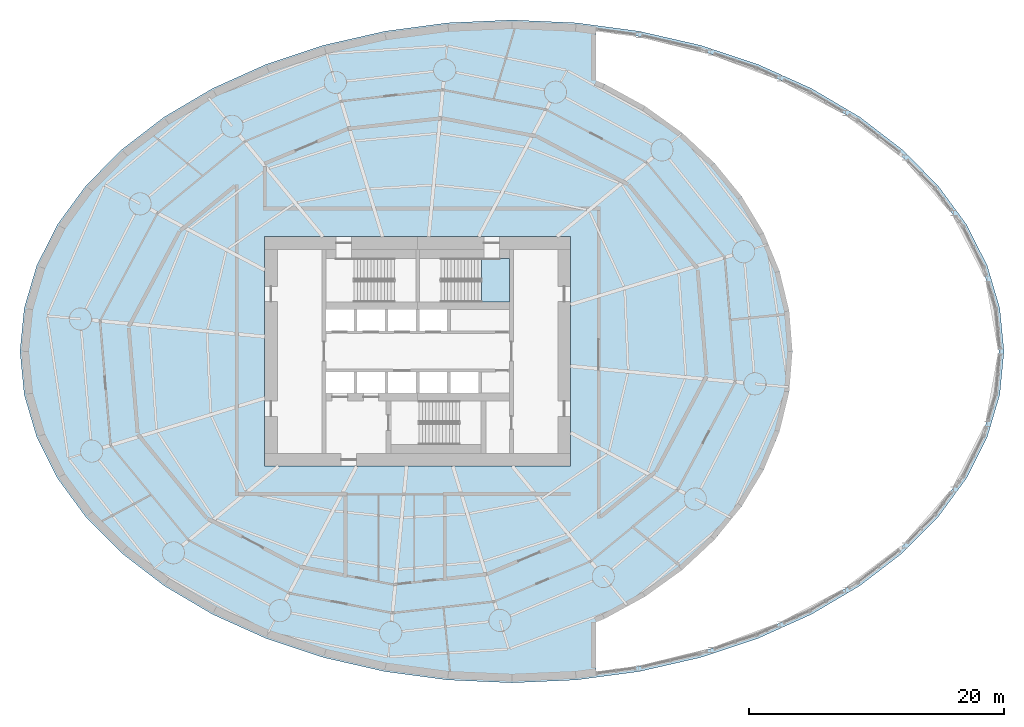
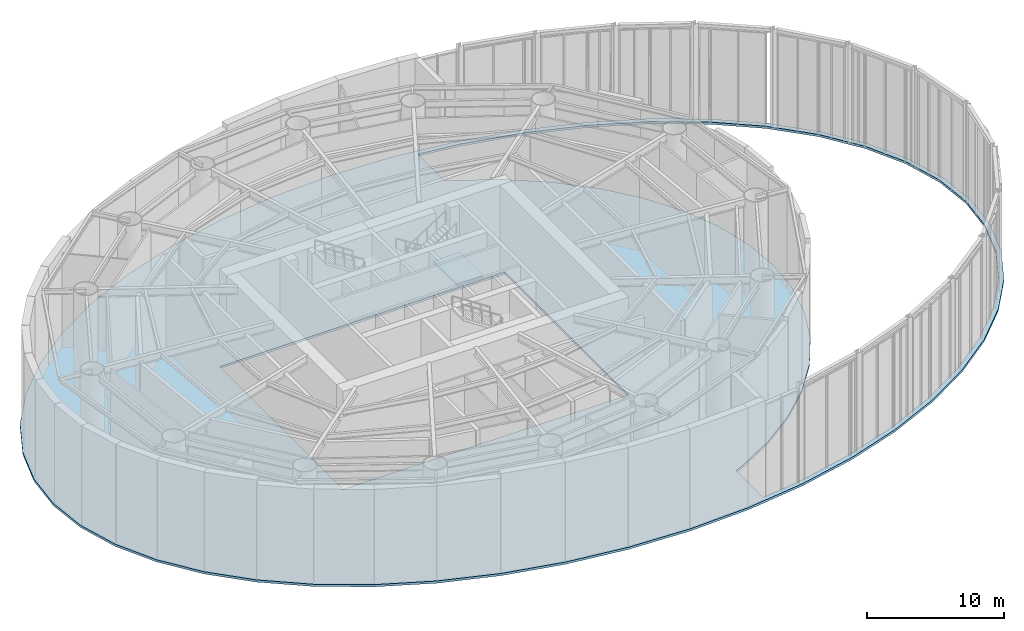
# One storey, part 11 of 19: 2 slabs, 1 element without a shape of its own.
"""IFC4 building model written with IfcOpenShell, lengths in metres."""

from ifc_helpers import new_model, si_unit, direction, frame, origin, place, context, subcontext, project, spatial, polyline, outline, extrude, material, layer, layer_set, type_object, element, aggregate, save


model = new_model("IFC4")

# Units and contexts
model_context = context("Model", 3, precision=1e-05, world=origin(), true_north=direction((0.0, 1.0)))
body_context = subcontext(model_context, "Body", "Model", "MODEL_VIEW")
ifc_project = project(units=[si_unit("LENGTHUNIT", "METRE"), si_unit("AREAUNIT", "SQUARE_METRE"), si_unit("VOLUMEUNIT", "CUBIC_METRE"), si_unit("PLANEANGLEUNIT", "RADIAN"), si_unit("MASSUNIT", "GRAM", prefix="KILO")], contexts=[model_context])

# Site, building, storey
site_placement = place(None, origin())
site = spatial("IfcSite", under=ifc_project, at=site_placement, CompositionType="ELEMENT")
building_placement = place(site_placement, origin())
building = spatial("IfcBuilding", under=site, at=building_placement, Name="Vermilion Reach Broadcast Tower", CompositionType="ELEMENT")
storey_placement = place(building_placement, frame((0.0, 0.0, 8.0)))
storey = spatial("IfcBuildingStorey", under=building, at=storey_placement, Name="L01", CompositionType="ELEMENT", Elevation=8.0)

# Stair, slab
ifc_material_1 = material(Name="Concrete C40", Category="concrete")
stair_type = type_object("IfcStairType", Name="Exit stair RC 52 risers 173 mm", PredefinedType="HALF_TURN_STAIR", material=ifc_material_1)
stair_placement = place(storey_placement, origin())
stair = element("IfcStair", 1, at=stair_placement, inside=storey, type_object=stair_type, Name="L01 Exit stair ST2", PredefinedType="HALF_TURN_STAIR")
ifc_material_2 = material(Name="Concrete C40", Category="concrete")
ifc_layer_1 = layer(ifc_material_2, 0.199951171875)
ifc_layer_set_1 = layer_set([ifc_layer_1], Name="Exit stair landing Concrete C40")
slab_type_1 = type_object("IfcSlabType", Name="Exit stair landing Concrete C40", PredefinedType="LANDING", material=ifc_layer_set_1)
slab_1_placement = place(storey_placement, frame((0.0, 0.0, 4.300048828125)))
slab_1 = element("IfcSlab", 2, at=slab_1_placement, type_object=slab_type_1, Name="ST2 landing 2", PredefinedType="LANDING", context=body_context, shape_type="SweptSolid", body=[
    extrude(outline(polyline([(1.199951171875, 7.300048828125), (-1.0, 7.300048828125), (-1.0, 3.8798828125), (1.199951171875, 3.8798828125), (1.199951171875, 7.300048828125)])), origin(), (0.0, 0.0, 1.0), 0.199951171875),
])
aggregate(stair, [slab_1])

# Slab
ifc_material_3 = material(Name="Concrete C40", Category="concrete")
ifc_layer_2 = layer(ifc_material_3, 0.199951171875)
ifc_layer_set_2 = layer_set([ifc_layer_2], Name="Floor slab Concrete C40 200")
slab_type_2 = type_object("IfcSlabType", Name="Floor slab Concrete C40 200", PredefinedType="FLOOR", material=ifc_layer_set_2)
slab_2_placement = place(storey_placement, frame((0.0, 0.0, -0.199951171875)))
element("IfcSlab", 3, at=slab_2_placement, inside=storey, type_object=slab_type_2, Name="Floor slab L01", PredefinedType="FLOOR", context=body_context, shape_type="SweptSolid", body=[
    extrude(outline(polyline([(40.0, 0.0), (39.669677734375, 3.393798828125), (38.684814453125, 6.729248046875), (37.061767578125, 9.94970703125), (34.82861328125, 13.0), (32.0234375, 15.827880859375), (28.6943359375, 18.384765625), (24.898193359375, 20.627197265625), (20.699951171875, 22.5166015625), (16.171630859375, 24.020751953125), (11.390380859375, 25.114013671875), (6.438232421875, 25.777587890625), (1.39990234375, 26.0), (-3.638427734375, 25.777587890625), (-8.59033203125, 25.114013671875), (-13.37158203125, 24.020751953125), (-17.89990234375, 22.5166015625), (-22.09814453125, 20.627197265625), (-25.894287109375, 18.384765625), (-29.223388671875, 15.827880859375), (-32.028564453125, 13.0), (-34.26171875, 9.94970703125), (-35.884765625, 6.729248046875), (-36.869873046875, 3.393798828125), (-37.199951171875, 0.0), (-36.869873046875, -3.393798828125), (-35.884765625, -6.729248046875), (-34.26171875, -9.94970703125), (-32.028564453125, -13.0), (-29.223388671875, -15.827880859375), (-25.894287109375, -18.384765625), (-22.09814453125, -20.627197265625), (-17.89990234375, -22.5166015625), (-13.37158203125, -24.020751953125), (-8.59033203125, -25.114013671875), (-3.638427734375, -25.777587890625), (1.39990234375, -26.0), (6.438232421875, -25.777587890625), (11.390380859375, -25.114013671875), (16.171630859375, -24.020751953125), (20.699951171875, -22.5166015625), (24.898193359375, -20.627197265625), (28.6943359375, -18.384765625), (32.0234375, -15.827880859375), (34.82861328125, -13.0), (37.061767578125, -9.94970703125), (38.684814453125, -6.729248046875), (39.669677734375, -3.393798828125), (40.0, 0.0)]), holes=[polyline([(8.0, 25.1650390625), (8.0, 21.245849609375), (8.656494140625, 20.98046875), (11.851806640625, 19.23095703125), (14.744873046875, 17.15185546875), (17.28662109375, 14.77685546875), (19.43212890625, 12.1455078125), (21.143310546875, 9.302001953125), (22.388916015625, 6.294677734375), (23.14599609375, 3.175537109375), (23.39990234375, 0.0), (23.14599609375, -3.175537109375), (22.388916015625, -6.294677734375), (21.143310546875, -9.302001953125), (19.43212890625, -12.1455078125), (17.28662109375, -14.77685546875), (14.744873046875, -17.15185546875), (11.851806640625, -19.23095703125), (8.656494140625, -20.98046875), (8.0, -21.245849609375), (8.0, -25.1650390625), (11.3193359375, -24.720458984375), (16.06396484375, -23.635498046875), (20.554931640625, -22.143798828125), (24.714599609375, -20.271728515625), (28.470947265625, -18.052978515625), (31.759521484375, -15.527099609375), (34.52490234375, -12.73974609375), (36.720947265625, -9.740234375), (38.31298828125, -6.58154296875), (39.277099609375, -3.31689453125), (39.60009765625, 0.0), (39.277099609375, 3.31689453125), (38.31298828125, 6.58154296875), (36.720947265625, 9.740234375), (34.52490234375, 12.73974609375), (31.759521484375, 15.527099609375), (28.470947265625, 18.052978515625), (24.714599609375, 20.271728515625), (20.554931640625, 22.143798828125), (16.06396484375, 23.635498046875), (11.3193359375, 24.720458984375), (8.0, 25.1650390625)]), polyline([(-18.0, -9.0), (6.0, -9.0), (6.0, 9.0), (-18.0, 9.0), (-18.0, -9.0)])]), origin(), (0.0, 0.0, 1.0), 0.199951171875),
])

save(model, "model.ifc")
